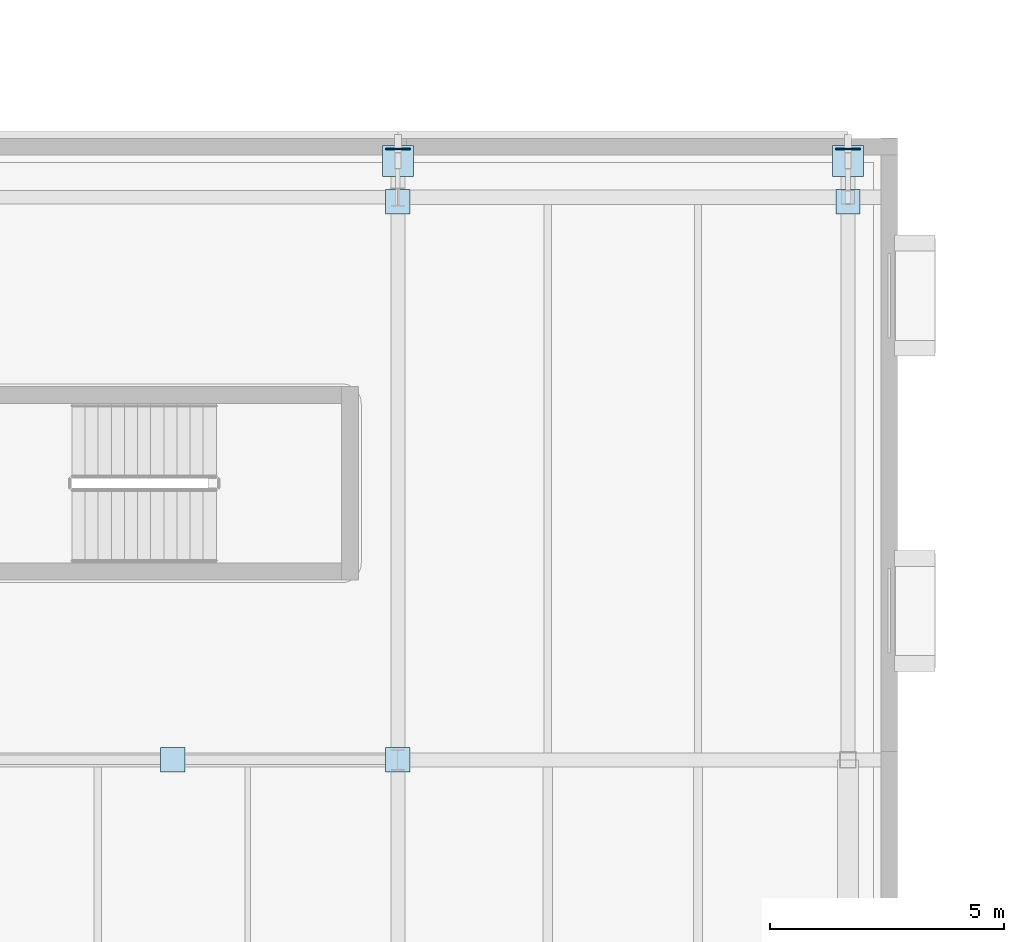
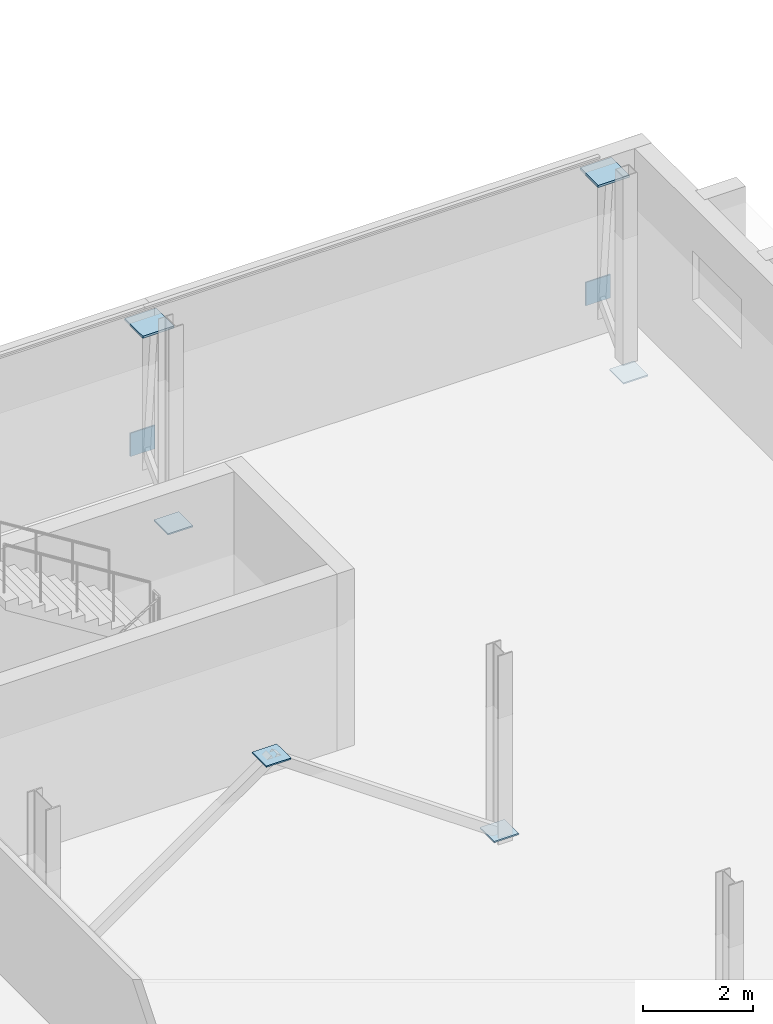
# One storey, part 40 of 57: 8 plates.
"""IFC4 building model written with IfcOpenShell, lengths in metres."""

from ifc_helpers import new_model, si_unit, direction, frame, origin, origin_2d, place, context, subcontext, project, spatial, rectangle, extrude, material, layer, layer_set, type_object, element, save


model = new_model("IFC4")

# Units and contexts
model_context = context("Model", 3, precision=1e-05, world=origin(), true_north=direction((0.0, 1.0)))
body_context = subcontext(model_context, "Body", "Model", "MODEL_VIEW")
ifc_project = project(units=[si_unit("LENGTHUNIT", "METRE"), si_unit("AREAUNIT", "SQUARE_METRE"), si_unit("VOLUMEUNIT", "CUBIC_METRE"), si_unit("PLANEANGLEUNIT", "RADIAN"), si_unit("MASSUNIT", "GRAM", prefix="KILO")], contexts=[model_context])

# Site, building, storey
site_placement = place(None, origin())
site = spatial("IfcSite", under=ifc_project, at=site_placement, CompositionType="ELEMENT")
building_placement = place(site_placement, origin())
building = spatial("IfcBuilding", under=site, at=building_placement, Name="Zereglee Splitstone Museum", CompositionType="ELEMENT")
storey_placement = place(building_placement, frame((0.0, 0.0, 17.10009765625)))
storey = spatial("IfcBuildingStorey", under=building, at=storey_placement, Name="L03", CompositionType="ELEMENT", Elevation=17.10009765625)

# Plates
ifc_material = material(Name="Steel S355J2", Category="steel")
ifc_layer_1 = layer(ifc_material, 0.030029296875)
ifc_layer_set_1 = layer_set([ifc_layer_1], Name="Steel S355J2")
plate_type_1 = type_object("IfcPlateType", Name="NP-04", PredefinedType="SHEET", material=ifc_layer_set_1)
for number, where, z_axis, x_axis, name in (
    (1, (135.60009765625, 38.39990234375, 0.10498046875), (0.0, 0.0, 1.0), (1.0, 0.0, 0.0), "CBF Brace Gusset Cap L03-013"),
    (2, (130.800048828125, 38.39990234375, 3.46484375), (0.0, 0.0, 1.0), (1.0, 0.0, 0.0), "CBF Brace Gusset Cap L03-013"),
    (3, (135.60009765625, 50.300048828125, -0.2548828125), (0.0, 0.0, 1.0), (1.0, 0.0, 0.0), "Facet Tie Seal Plate FH-V2NE"),
):
    element("IfcPlate", number, at=place(storey_placement, frame(where, z_axis=z_axis, x_axis=x_axis)), inside=storey, type_object=plate_type_1, Name=name, PredefinedType="SHEET", context=body_context, shape_type="SweptSolid", body=[
        extrude(rectangle(XDim=0.52001953125, YDim=0.52001953125, at=origin_2d()), origin(), (0.0, 0.0, 1.0), 0.030029296875),
    ])
plate_1_placement = place(storey_placement, frame((135.60009765625, 51.4296875, 0.659912109375), z_axis=(0.0, 0.0, 1.0), x_axis=(1.0, 0.0, 0.0)))
element("IfcPlate", 4, at=plate_1_placement, inside=storey, type_object=plate_type_1, Name="Facet Tie Seal Plate FH-V2NE", PredefinedType="SHEET", context=body_context, shape_type="SweptSolid", body=[
    extrude(rectangle(XDim=0.52001953125, YDim=0.030029296875, at=origin_2d()), origin(), (0.0, 0.0, 1.0), 0.52001953125),
])
plate_2_placement = place(storey_placement, frame((145.199951171875, 50.300048828125, -0.2548828125), z_axis=(0.0, 0.0, 1.0), x_axis=(1.0, 0.0, 0.0)))
element("IfcPlate", 5, at=plate_2_placement, inside=storey, type_object=plate_type_1, Name="Facet Tie Seal Plate FH-V2NE", PredefinedType="SHEET", context=body_context, shape_type="SweptSolid", body=[
    extrude(rectangle(XDim=0.52001953125, YDim=0.52001953125, at=origin_2d()), origin(), (0.0, 0.0, 1.0), 0.030029296875),
])
plate_3_placement = place(storey_placement, frame((145.199951171875, 51.4296875, 0.659912109375), z_axis=(0.0, 0.0, 1.0), x_axis=(1.0, 0.0, 0.0)))
element("IfcPlate", 6, at=plate_3_placement, inside=storey, type_object=plate_type_1, Name="Facet Tie Seal Plate FH-V2NE", PredefinedType="SHEET", context=body_context, shape_type="SweptSolid", body=[
    extrude(rectangle(XDim=0.52001953125, YDim=0.030029296875, at=origin_2d()), origin(), (0.0, 0.0, 1.0), 0.52001953125),
])
ifc_layer_2 = layer(ifc_material, 0.050048828125)
ifc_layer_set_2 = layer_set([ifc_layer_2], Name="Steel S355J2")
plate_type_2 = type_object("IfcPlateType", Name="NP-02", PredefinedType="SHEET", material=ifc_layer_set_2)
for number, where, z_axis, x_axis, name in (
    (7, (135.60009765625, 51.1767578125, 3.6650390625), (0.0, 0.0, 1.0), (1.0, 0.0, 0.0), "Facet Strut Seal Plate FH-V2NE"),
    (8, (145.199951171875, 51.1767578125, 3.6650390625), (0.0, 0.0, 1.0), (1.0, 0.0, 0.0), "Facet Strut Seal Plate FH-V2NE"),
):
    element("IfcPlate", number, at=place(storey_placement, frame(where, z_axis=z_axis, x_axis=x_axis)), inside=storey, type_object=plate_type_2, Name=name, PredefinedType="SHEET", context=body_context, shape_type="SweptSolid", body=[
        extrude(rectangle(XDim=0.659912109375, YDim=0.659912109375, at=origin_2d()), origin(), (0.0, 0.0, 1.0), 0.050048828125),
    ])

save(model, "model.ifc")
